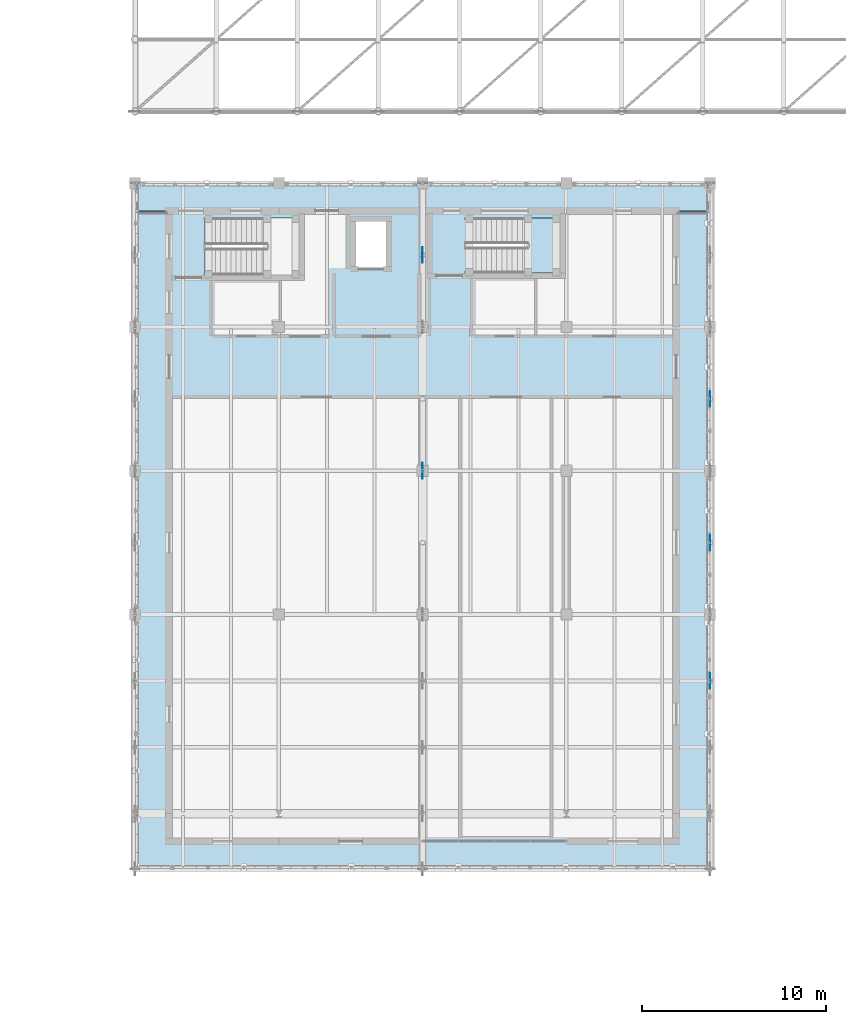
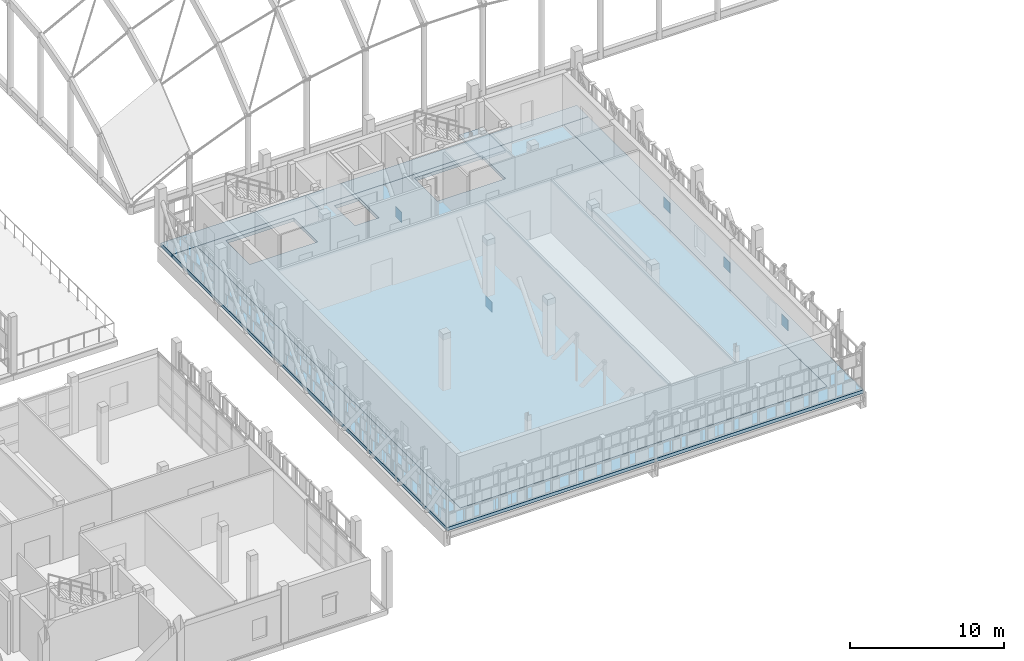
# One storey, part 71 of 119: 5 plates, 4 slabs, 1 element without a shape of its own.
"""IFC4 building model written with IfcOpenShell, lengths in metres."""

from ifc_helpers import new_model, si_unit, direction, frame, origin, origin_2d, place, context, subcontext, project, spatial, polyline, rectangle, outline, extrude, material, layer, layer_set, type_object, element, aggregate, save


model = new_model("IFC4")

# Units and contexts
model_context = context("Model", 3, precision=1e-05, world=origin(), true_north=direction((0.0, 1.0)))
body_context = subcontext(model_context, "Body", "Model", "MODEL_VIEW")
ifc_project = project(units=[si_unit("LENGTHUNIT", "METRE"), si_unit("AREAUNIT", "SQUARE_METRE"), si_unit("VOLUMEUNIT", "CUBIC_METRE"), si_unit("PLANEANGLEUNIT", "RADIAN"), si_unit("MASSUNIT", "GRAM", prefix="KILO")], contexts=[model_context])

# Site, building, storey
site_placement = place(None, origin())
site = spatial("IfcSite", under=ifc_project, at=site_placement, CompositionType="ELEMENT")
building_placement = place(site_placement, origin())
building = spatial("IfcBuilding", under=site, at=building_placement, Name="Celorna Specialist Clinic", CompositionType="ELEMENT")
storey_placement = place(building_placement, frame((0.0, 0.0, 9.60009765625)))
storey = spatial("IfcBuildingStorey", under=building, at=storey_placement, Name="L02", CompositionType="ELEMENT", Elevation=9.60009765625)

# Plates
ifc_material_1 = material(Name="Steel S355", Category="steel")
ifc_layer_1 = layer(ifc_material_1, 0.028076171875, Name="Steel S355")
ifc_layer_set_1 = layer_set([ifc_layer_1], Name="Steel S355")
plate_type = type_object("IfcPlateType", Name="GP-01", PredefinedType="USERDEFINED", material=ifc_layer_set_1)
for number, where, z_axis, x_axis, name in (
    (1, (70.199951171875, 27.300048828125, -1.26025390625), (0.0, 0.0, 1.0), (0.0, 1.0, 0.0), "Truss node gusset plate TN-038"),
    (2, (70.199951171875, 39.0, -1.26025390625), (0.0, 0.0, 1.0), (0.0, 1.0, 0.0), "Truss node gusset plate TN-040"),
    (3, (85.800048828125, 15.89990234375, -1.26025390625), (0.0, 0.0, 1.0), (0.0, 1.0, 0.0), "Truss node gusset plate TN-058"),
    (4, (85.800048828125, 23.39990234375, -1.26025390625), (0.0, 0.0, 1.0), (0.0, 1.0, 0.0), "Truss node gusset plate TN-060"),
    (5, (85.800048828125, 31.199951171875, -1.26025390625), (0.0, 0.0, 1.0), (0.0, 1.0, 0.0), "Truss node gusset plate TN-062"),
):
    element("IfcPlate", number, at=place(storey_placement, frame(where, z_axis=z_axis, x_axis=x_axis)), inside=storey, type_object=plate_type, Name=name, ObjectType="GUSSET PLATE", PredefinedType="USERDEFINED", context=body_context, shape_type="SweptSolid", body=[
        extrude(rectangle(XDim=0.85009765625, YDim=0.028076171875, at=origin_2d()), origin(), (0.0, 0.0, 1.0), 0.85009765625),
    ])

# Slabs
ifc_material_2 = material(Name="Concrete C35/45", Category="concrete")
ifc_layer_2 = layer(ifc_material_2, 0.260009765625, Name="Concrete C35/45")
ifc_layer_set_2 = layer_set([ifc_layer_2], Name="Concrete C35/45")
slab_type_1 = type_object("IfcSlabType", Name="SL-07", PredefinedType="FLOOR", material=ifc_layer_set_2)
slab_1_placement = place(storey_placement, frame((0.0, 0.0, -0.260009765625)))
element("IfcSlab", 6, at=slab_1_placement, inside=storey, type_object=slab_type_1, Name="Lecture Wing Cantilever Veranda L02", PredefinedType="FLOOR", context=body_context, shape_type="SweptSolid", body=[
    extrude(outline(polyline([(54.60009765625, 5.699951171875), (85.800048828125, 5.699951171875), (85.800048828125, 41.39990234375), (83.949951171875, 41.39990234375), (83.949951171875, 7.199951171875), (56.449951171875, 7.199951171875), (56.449951171875, 41.39990234375), (54.60009765625, 41.39990234375), (54.60009765625, 5.699951171875)])), origin(), (0.0, 0.0, 1.0), 0.260009765625),
])
slab_2_placement = place(storey_placement, frame((0.0, 0.0, -0.260009765625)))
element("IfcSlab", 7, at=slab_2_placement, inside=storey, type_object=slab_type_1, Name="Lecture Wing North Court Veranda L02", PredefinedType="FLOOR", context=body_context, shape_type="SweptSolid", body=[
    extrude(outline(polyline([(54.60009765625, 41.39990234375), (85.800048828125, 41.39990234375), (85.800048828125, 42.89990234375), (54.60009765625, 42.89990234375), (54.60009765625, 41.39990234375)])), origin(), (0.0, 0.0, 1.0), 0.260009765625),
])
ifc_layer_3 = layer(ifc_material_2, 0.260009765625, Name="Concrete C35/45")
ifc_layer_set_3 = layer_set([ifc_layer_3], Name="Concrete C35/45")
slab_type_2 = type_object("IfcSlabType", Name="SL-08", PredefinedType="FLOOR", material=ifc_layer_set_3)
slab_3_placement = place(storey_placement, frame((0.0, 0.0, -0.260009765625)))
element("IfcSlab", 8, at=slab_3_placement, inside=storey, type_object=slab_type_2, Name="V6 L02 structural slab SL-08", PredefinedType="FLOOR", context=body_context, shape_type="SweptSolid", body=[
    extrude(outline(polyline([(83.949951171875, 7.199951171875), (83.949951171875, 41.39990234375), (56.449951171875, 41.39990234375), (56.449951171875, 7.199951171875), (83.949951171875, 7.199951171875)]), holes=[polyline([(58.39990234375, 37.919921875), (63.5, 37.919921875), (63.5, 41.02001953125), (58.39990234375, 41.02001953125), (58.39990234375, 37.919921875)]), polyline([(72.5400390625, 38.02001953125), (77.639892578125, 38.02001953125), (77.639892578125, 41.02001953125), (72.5400390625, 41.02001953125), (72.5400390625, 38.02001953125)]), polyline([(66.4951171875, 38.294921875), (68.304931640625, 38.294921875), (68.304931640625, 40.905029296875), (66.4951171875, 40.905029296875), (66.4951171875, 38.294921875)])]), origin(), (0.0, 0.0, 1.0), 0.260009765625),
])

# Stair, slab
stair_type = type_object("IfcStairType", Name="ST-04", PredefinedType="HALF_TURN_STAIR", material=ifc_material_2)
stair_placement = place(storey_placement, origin())
stair = element("IfcStair", 9, at=stair_placement, inside=storey, type_object=stair_type, Name="L02 Protected exit stair ST-09", PredefinedType="HALF_TURN_STAIR")
ifc_layer_4 = layer(ifc_material_2, 0.199951171875, Name="Concrete C35/45")
ifc_layer_set_4 = layer_set([ifc_layer_4], Name="Concrete C35/45")
slab_type_3 = type_object("IfcSlabType", Name="SL-11", PredefinedType="LANDING", material=ifc_layer_set_4)
slab_4_placement = place(storey_placement, frame((0.0, 0.0, 2.0498046875)))
slab_4 = element("IfcSlab", 10, at=slab_4_placement, type_object=slab_type_3, Name="ST-09 landing 1", PredefinedType="LANDING", context=body_context, shape_type="SweptSolid", body=[
    extrude(outline(polyline([(75.89990234375, 38.02001953125), (77.639892578125, 38.02001953125), (77.639892578125, 41.02001953125), (75.89990234375, 41.02001953125), (75.89990234375, 38.02001953125)])), origin(), (0.0, 0.0, 1.0), 0.2001953125),
])
aggregate(stair, [slab_4])

save(model, "model.ifc")
